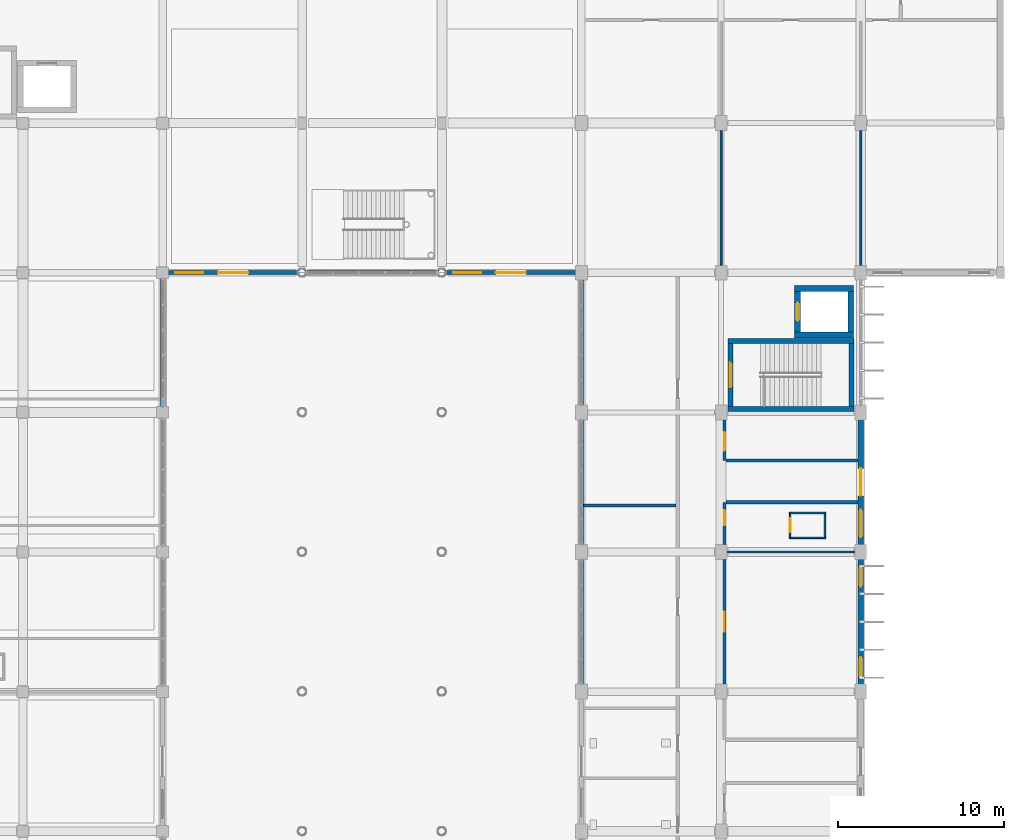
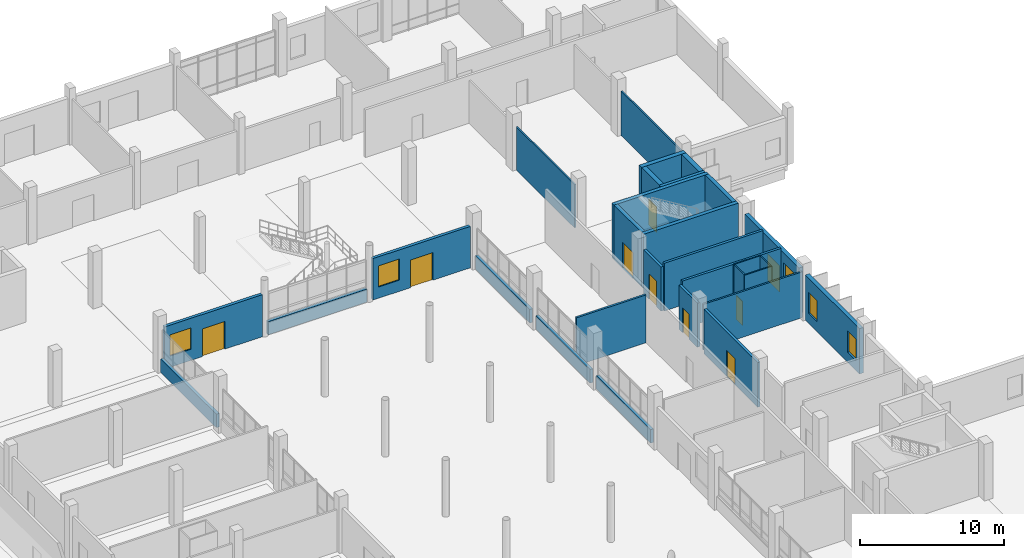
# One storey, part 80 of 95: 30 walls, 9 doors, 5 windows, 14 openings.
"""IFC4 building model written with IfcOpenShell, lengths in metres."""

from ifc_helpers import new_model, si_unit, direction, frame, frame_2d, origin, place, context, subcontext, project, spatial, rectangle, extrude, material, layer, layer_set, type_object, element, fill, save


model = new_model("IFC4")

# Units and contexts
model_context = context("Model", 3, precision=1e-05, world=origin(), true_north=direction((0.0, 1.0)))
body_context = subcontext(model_context, "Body", "Model", "MODEL_VIEW")
ifc_project = project(units=[si_unit("LENGTHUNIT", "METRE"), si_unit("AREAUNIT", "SQUARE_METRE"), si_unit("VOLUMEUNIT", "CUBIC_METRE"), si_unit("PLANEANGLEUNIT", "RADIAN"), si_unit("MASSUNIT", "GRAM", prefix="KILO")], contexts=[model_context])

# Site, building, storey
site_placement = place(None, origin())
site = spatial("IfcSite", under=ifc_project, at=site_placement, CompositionType="ELEMENT")
building_placement = place(site_placement, origin())
building = spatial("IfcBuilding", under=site, at=building_placement, Name="Vireocrest Preparatory School", CompositionType="ELEMENT")
storey_placement = place(building_placement, origin())
storey = spatial("IfcBuildingStorey", under=building, at=storey_placement, Name="L00", CompositionType="ELEMENT", Elevation=0.0)

# Wall
ifc_material_1 = material(Name="Gypsum board on cold-formed steel studs", Category="steel")
ifc_layer_1 = layer(ifc_material_1, 0.139892578125)
ifc_layer_set_1 = layer_set([ifc_layer_1], Name="Gypsum board on cold-formed steel studs")
wall_type_1 = type_object("IfcWallType", Name="Classroom Acoustic Partition Wall 140", PredefinedType="PARTITIONING", material=ifc_layer_set_1)
wall_1_placement = place(storey_placement, frame((101.10498046875, 69.0, 0.0), z_axis=(0.0, 0.0, 1.0), x_axis=(1.0, 0.0, 0.0)))
element("IfcWall", 1, at=wall_1_placement, inside=storey, type_object=wall_type_1, Name="Interior Partition W03 IW_L00_0105", PredefinedType="PARTITIONING", context=body_context, shape_type="SweptSolid", body=[
    extrude(rectangle(XDim=7.929931640625, YDim=0.139892578125, at=frame_2d((3.96484375, 0.0))), origin(), (0.0, 0.0, 1.0), 3.889892578125),
])

# Wall, opening, door
ifc_layer_2 = layer(ifc_material_1, 0.199951171875)
ifc_layer_set_2 = layer_set([ifc_layer_2], Name="Gypsum board on cold-formed steel studs")
wall_type_2 = type_object("IfcWallType", Name="Corridor One-Hour Fire Partition 200", PredefinedType="PARTITIONING", material=ifc_layer_set_2)
wall_2_placement = place(storey_placement, frame((101.0, 61.06005859375, 0.0), z_axis=(0.0, 0.0, 1.0), x_axis=(0.0, 1.0, 0.0)))
wall_2 = element("IfcWall", 2, at=wall_2_placement, inside=storey, type_object=wall_type_2, Name="Interior Partition W06 IW_L00_0107", PredefinedType="PARTITIONING", context=body_context, shape_type="SweptSolid", body=[
    extrude(rectangle(XDim=7.47998046875, YDim=0.199951171875, at=frame_2d((3.739990234375, 0.0))), origin(), (0.0, 0.0, 1.0), 3.7900390625),
])
opening_1_placement = place(wall_2_placement, frame((3.139892578125, 0.0, 0.0)))
opening_1 = element("IfcOpeningElement", 3, at=opening_1_placement, cuts=wall_2, Name="Opening D-L00-ELEN01", PredefinedType="OPENING", context=body_context, shape_type="SweptSolid", body=[
    extrude(rectangle(XDim=1.199951171875, YDim=2.199951171875, at=frame_2d((0.60009765625, 1.10009765625))), frame((0.0, 0.10986328125, 0.0), z_axis=(0.0, -1.0, 0.0), x_axis=(1.0, 0.0, 0.0)), (0.0, 0.0, 1.0), 0.219970703125),
])
ifc_material_2 = material(Name="Solid-core architectural birch timber", Category="wood")
door_type_1 = type_object("IfcDoorType", Name="Wide Accessible Studio Door 1200x2200", OperationType="NOTDEFINED", PredefinedType="DOOR", material=ifc_material_2)
door_1_placement = place(opening_1_placement, origin())
door_1 = element("IfcDoor", 4, at=door_1_placement, inside=storey, type_object=door_type_1, Name="Interior Door D-L00-ELEN01", OperationType="SINGLE_SWING_RIGHT", OverallHeight=2.199951171875, OverallWidth=1.199951171875, PredefinedType="DOOR", context=body_context, shape_type="SweptSolid", body=[
    extrude(rectangle(XDim=1.199951171875, YDim=2.199951171875, at=frame_2d((0.60009765625, 1.10009765625))), frame((0.0, 0.02490234375, 0.0), z_axis=(0.0, -1.0, 0.0), x_axis=(1.0, 0.0, 0.0)), (0.0, 0.0, 1.0), 0.050048828125),
])
fill(opening_1, door_1)

wall_3_placement = place(storey_placement, frame((101.0, 69.4599609375, 0.0), z_axis=(0.0, 0.0, 1.0), x_axis=(0.0, 1.0, 0.0)))
wall_3 = element("IfcWall", 5, at=wall_3_placement, inside=storey, type_object=wall_type_2, Name="Interior Partition W06 IW_L00_0108", PredefinedType="PARTITIONING", context=body_context, shape_type="SweptSolid", body=[
    extrude(rectangle(XDim=2.530029296875, YDim=0.199951171875, at=frame_2d((1.26513671875, 0.0))), origin(), (0.0, 0.0, 1.0), 3.739990234375),
])
opening_2_placement = place(wall_3_placement, frame((1.139892578125, 0.0, 0.0)))
opening_2 = element("IfcOpeningElement", 6, at=opening_2_placement, cuts=wall_3, Name="Opening D-L00-ELEN02", PredefinedType="OPENING", context=body_context, shape_type="SweptSolid", body=[
    extrude(rectangle(XDim=0.89990234375, YDim=2.10009765625, at=frame_2d((0.449951171875, 1.050048828125))), frame((0.0, 0.10986328125, 0.0), z_axis=(0.0, -1.0, 0.0), x_axis=(1.0, 0.0, 0.0)), (0.0, 0.0, 1.0), 0.219970703125),
])
door_type_2 = type_object("IfcDoorType", Name="Office Timber Door 900x2100", OperationType="NOTDEFINED", PredefinedType="DOOR", material=ifc_material_2)
door_2_placement = place(opening_2_placement, origin())
door_2 = element("IfcDoor", 7, at=door_2_placement, inside=storey, type_object=door_type_2, Name="Interior Door D-L00-ELEN02", OperationType="SINGLE_SWING_LEFT", OverallHeight=2.10009765625, OverallWidth=0.89990234375, PredefinedType="DOOR", context=body_context, shape_type="SweptSolid", body=[
    extrude(rectangle(XDim=0.89990234375, YDim=2.10009765625, at=frame_2d((0.449951171875, 1.050048828125))), frame((0.0, 0.02490234375, 0.0), z_axis=(0.0, -1.0, 0.0), x_axis=(1.0, 0.0, 0.0)), (0.0, 0.0, 1.0), 0.050048828125),
])
fill(opening_2, door_2)

# Walls
for number, where, z_axis, x_axis, name in (
    (8, (101.10498046875, 72.0, 0.0), (0.0, 0.0, 1.0), (1.0, 0.0, 0.0), "Interior Partition W06 IW_L00_0109"),
    (9, (101.10498046875, 74.5, 0.0), (0.0, 0.0, 1.0), (1.0, 0.0, 0.0), "Interior Partition W06 IW_L00_0110"),
):
    element("IfcWall", number, at=place(storey_placement, frame(where, z_axis=z_axis, x_axis=x_axis)), inside=storey, type_object=wall_type_2, Name=name, PredefinedType="PARTITIONING", context=body_context, shape_type="SweptSolid", body=[
        extrude(rectangle(XDim=7.929931640625, YDim=0.199951171875, at=frame_2d((3.96484375, 0.0))), origin(), (0.0, 0.0, 1.0), 4.06005859375),
    ])

# Wall, opening, door
wall_4_placement = place(storey_placement, frame((101.0, 74.510009765625, 0.0), z_axis=(0.0, 0.0, 1.0), x_axis=(0.0, 1.0, 0.0)))
wall_4 = element("IfcWall", 10, at=wall_4_placement, inside=storey, type_object=wall_type_2, Name="Interior Partition W06 IW_L00_0111", PredefinedType="PARTITIONING", context=body_context, shape_type="SweptSolid", body=[
    extrude(rectangle(XDim=2.429931640625, YDim=0.199951171875, at=frame_2d((1.21484375, 0.0))), origin(), (0.0, 0.0, 1.0), 3.739990234375),
])
opening_3_placement = place(wall_4_placement, frame((0.590087890625, 0.0, 0.0)))
opening_3 = element("IfcOpeningElement", 11, at=opening_3_placement, cuts=wall_4, Name="Opening D-L00-ELENN01", PredefinedType="OPENING", context=body_context, shape_type="SweptSolid", body=[
    extrude(rectangle(XDim=1.10009765625, YDim=2.14990234375, at=frame_2d((0.550048828125, 1.074951171875))), frame((0.0, 0.10986328125, 0.0), z_axis=(0.0, -1.0, 0.0), x_axis=(1.0, 0.0, 0.0)), (0.0, 0.0, 1.0), 0.219970703125),
])
ifc_material_3 = material(Name="Painted galvanized hollow steel", Category="steel")
door_type_3 = type_object("IfcDoorType", Name="Prep and Store Fire Door 1100x2150", OperationType="NOTDEFINED", PredefinedType="DOOR", material=ifc_material_3)
door_3_placement = place(opening_3_placement, origin())
door_3 = element("IfcDoor", 12, at=door_3_placement, inside=storey, type_object=door_type_3, Name="Interior Door D-L00-ELENN01", OperationType="SINGLE_SWING_RIGHT", OverallHeight=2.14990234375, OverallWidth=1.10009765625, PredefinedType="DOOR", context=body_context, shape_type="SweptSolid", body=[
    extrude(rectangle(XDim=1.10009765625, YDim=2.14990234375, at=frame_2d((0.550048828125, 1.074951171875))), frame((0.0, 0.02490234375, 0.0), z_axis=(0.0, -1.0, 0.0), x_axis=(1.0, 0.0, 0.0)), (0.0, 0.0, 1.0), 0.050048828125),
])
fill(opening_3, door_3)

# Wall, openings, windows
ifc_material_4 = material(Name="Precast white concrete 40 MPa", Category="concrete")
ifc_layer_3 = layer(ifc_material_4, 0.320068359375)
ifc_layer_set_3 = layer_set([ifc_layer_3], Name="Precast white concrete 40 MPa")
wall_type_3 = type_object("IfcWallType", Name="High-Tech Insulated Rainscreen External Wall 320", PredefinedType="SOLIDWALL", material=ifc_layer_set_3)
wall_5_placement = place(storey_placement, frame((109.199951171875, 61.02490234375, 0.0), z_axis=(0.0, 0.0, 1.0), x_axis=(0.0, 1.0, 0.0)))
wall_5 = element("IfcWall", 13, at=wall_5_placement, inside=storey, type_object=wall_type_3, Name="External Wall W12 EW_L00_0066", PredefinedType="SOLIDWALL", context=body_context, shape_type="SweptSolid", body=[
    extrude(rectangle(XDim=7.550048828125, YDim=0.320068359375, at=frame_2d((3.77490234375, 0.0))), origin(), (0.0, 0.0, 1.0), 3.840087890625),
])
opening_4_placement = place(wall_5_placement, frame((0.449951171875, 0.0, 0.85009765625)))
opening_4 = element("IfcOpeningElement", 14, at=opening_4_placement, cuts=wall_5, Name="Opening WN02", PredefinedType="OPENING", context=body_context, shape_type="SweptSolid", body=[
    extrude(rectangle(XDim=1.199951171875, YDim=1.800048828125, at=frame_2d((0.60009765625, 0.89990234375))), frame((0.0, 0.169921875, 0.0), z_axis=(0.0, -1.0, 0.0), x_axis=(1.0, 0.0, 0.0)), (0.0, 0.0, 1.0), 0.340087890625),
])
opening_5_placement = place(wall_5_placement, frame((5.89990234375, 0.0, 0.85009765625)))
opening_5 = element("IfcOpeningElement", 15, at=opening_5_placement, cuts=wall_5, Name="Opening WN02", PredefinedType="OPENING", context=body_context, shape_type="SweptSolid", body=[
    extrude(rectangle(XDim=1.199951171875, YDim=1.800048828125, at=frame_2d((0.60009765625, 0.89990234375))), frame((0.0, 0.169921875, 0.0), z_axis=(0.0, -1.0, 0.0), x_axis=(1.0, 0.0, 0.0)), (0.0, 0.0, 1.0), 0.340087890625),
])
ifc_material_5 = material(Name="Thermally broken aluminium EN AW-6063-T6", Category="aluminium")
window_type_1 = type_object("IfcWindowType", Name="Counseling Window 1200x1800", PartitioningType="SINGLE_PANEL", PredefinedType="WINDOW", material=ifc_material_5)
window_1_placement = place(opening_4_placement, origin())
window_1 = element("IfcWindow", 16, at=window_1_placement, inside=storey, type_object=window_type_1, Name="Window W-L00-008 (WN02)", OverallHeight=1.800048828125, OverallWidth=1.199951171875, PartitioningType="SINGLE_PANEL", PredefinedType="WINDOW", context=body_context, shape_type="SweptSolid", body=[
    extrude(rectangle(XDim=1.199951171875, YDim=1.800048828125, at=frame_2d((0.60009765625, 0.89990234375))), frame((0.0, 0.030029296875, 0.0), z_axis=(0.0, -1.0, 0.0), x_axis=(1.0, 0.0, 0.0)), (0.0, 0.0, 1.0), 0.06005859375),
])
fill(opening_4, window_1)
window_2_placement = place(opening_5_placement, origin())
window_2 = element("IfcWindow", 17, at=window_2_placement, inside=storey, type_object=window_type_1, Name="Window W-L00-009 (WN02)", OverallHeight=1.800048828125, OverallWidth=1.199951171875, PartitioningType="SINGLE_PANEL", PredefinedType="WINDOW", context=body_context, shape_type="SweptSolid", body=[
    extrude(rectangle(XDim=1.199951171875, YDim=1.800048828125, at=frame_2d((0.60009765625, 0.89990234375))), frame((0.0, 0.030029296875, 0.0), z_axis=(0.0, -1.0, 0.0), x_axis=(1.0, 0.0, 0.0)), (0.0, 0.0, 1.0), 0.06005859375),
])
fill(opening_5, window_2)

# Wall, openings, window, door
wall_6_placement = place(storey_placement, frame((109.199951171875, 69.425048828125, 0.0), z_axis=(0.0, 0.0, 1.0), x_axis=(0.0, 1.0, 0.0)))
wall_6 = element("IfcWall", 18, at=wall_6_placement, inside=storey, type_object=wall_type_3, Name="External Wall W12 EW_L00_0067", PredefinedType="SOLIDWALL", context=body_context, shape_type="SweptSolid", body=[
    extrude(rectangle(XDim=7.550048828125, YDim=0.320068359375, at=frame_2d((3.77490234375, 0.0))), origin(), (0.0, 0.0, 1.0), 3.889892578125),
])
opening_6_placement = place(wall_6_placement, frame((4.599853515625, 0.0, 0.0), z_axis=(0.0, 0.0, 1.0), x_axis=(-1.0, 0.0, 0.0)))
opening_6 = element("IfcOpeningElement", 19, at=opening_6_placement, cuts=wall_6, Name="Opening ED4", PredefinedType="OPENING", context=body_context, shape_type="SweptSolid", body=[
    extrude(rectangle(XDim=1.64990234375, YDim=2.25, at=frame_2d((0.824951171875, 1.125))), frame((0.0, 0.169921875, 0.0), z_axis=(0.0, -1.0, 0.0), x_axis=(1.0, 0.0, 0.0)), (0.0, 0.0, 1.0), 0.340087890625),
])
opening_7_placement = place(wall_6_placement, frame((0.449951171875, 0.0, 0.949951171875)))
opening_7 = element("IfcOpeningElement", 20, at=opening_7_placement, cuts=wall_6, Name="Opening WN06", PredefinedType="OPENING", context=body_context, shape_type="SweptSolid", body=[
    extrude(rectangle(XDim=1.679931640625, YDim=2.10009765625, at=frame_2d((0.83984375, 1.050048828125))), frame((0.0, 0.169921875, 0.0), z_axis=(0.0, -1.0, 0.0), x_axis=(1.0, 0.0, 0.0)), (0.0, 0.0, 1.0), 0.340087890625),
])
window_type_2 = type_object("IfcWindowType", Name="Module Classroom Tall Window 1680x2100", PartitioningType="SINGLE_PANEL", PredefinedType="WINDOW", material=ifc_material_5)
window_3_placement = place(opening_7_placement, origin())
window_3 = element("IfcWindow", 21, at=window_3_placement, inside=storey, type_object=window_type_2, Name="Window W-L00-010 (WN06)", OverallHeight=2.10009765625, OverallWidth=1.679931640625, PartitioningType="SINGLE_PANEL", PredefinedType="WINDOW", context=body_context, shape_type="SweptSolid", body=[
    extrude(rectangle(XDim=1.679931640625, YDim=2.10009765625, at=frame_2d((0.83984375, 1.050048828125))), frame((0.0, 0.030029296875, 0.0), z_axis=(0.0, -1.0, 0.0), x_axis=(1.0, 0.0, 0.0)), (0.0, 0.0, 1.0), 0.06005859375),
])
fill(opening_7, window_3)
door_type_4 = type_object("IfcDoorType", Name="Stair Discharge Exterior Fire Exit Door 1650x2250", OperationType="DOUBLE_DOOR_SINGLE_SWING", PredefinedType="DOOR", material=ifc_material_3)
door_4_placement = place(opening_6_placement, origin())
door_4 = element("IfcDoor", 22, at=door_4_placement, inside=storey, type_object=door_type_4, Name="Final Exit ED4 Library North East Exit", OperationType="DOUBLE_DOOR_SINGLE_SWING", OverallHeight=2.25, OverallWidth=1.64990234375, PredefinedType="DOOR", context=body_context, shape_type="SweptSolid", body=[
    extrude(rectangle(XDim=1.64990234375, YDim=2.25, at=frame_2d((0.824951171875, 1.125))), frame((0.0, 0.02490234375, 0.0), z_axis=(0.0, -1.0, 0.0), x_axis=(1.0, 0.0, 0.0)), (0.0, 0.0, 1.0), 0.050048828125),
])
fill(opening_6, door_4)

# Walls
ifc_layer_4 = layer(ifc_material_1, 0.159912109375)
ifc_layer_set_4 = layer_set([ifc_layer_4], Name="Gypsum board on cold-formed steel studs")
wall_type_4 = type_object("IfcWallType", Name="Laboratory Wet-Service Partition Wall 160", PredefinedType="PARTITIONING", material=ifc_layer_set_4)
wall_7_placement = place(storey_placement, frame((92.52490234375, 71.800048828125, 0.0), z_axis=(0.0, 0.0, 1.0), x_axis=(1.0, 0.0, 0.0)))
element("IfcWall", 23, at=wall_7_placement, inside=storey, type_object=wall_type_4, Name="Interior Partition W04 IW_L00_0096", PredefinedType="PARTITIONING", context=body_context, shape_type="SweptSolid", body=[
    extrude(rectangle(XDim=5.570068359375, YDim=0.159912109375, at=frame_2d((2.78515625, 0.0))), origin(), (0.0, 0.0, 1.0), 4.06005859375),
])
ifc_layer_5 = layer(ifc_material_1, 0.1201171875)
ifc_layer_set_5 = layer_set([ifc_layer_5], Name="Gypsum board on cold-formed steel studs")
wall_type_5 = type_object("IfcWallType", Name="Office Stud Partition Wall 120", PredefinedType="PARTITIONING", material=ifc_layer_set_5)
wall_8_placement = place(storey_placement, frame((100.800048828125, 86.260009765625, 0.0), z_axis=(0.0, 0.0, 1.0), x_axis=(0.0, 1.0, 0.0)))
element("IfcWall", 24, at=wall_8_placement, inside=storey, type_object=wall_type_5, Name="Interior Partition W02 IW_L00_0085", PredefinedType="PARTITIONING", context=body_context, shape_type="SweptSolid", body=[
    extrude(rectangle(XDim=8.080078125, YDim=0.1201171875, at=frame_2d((4.0400390625, 0.0))), origin(), (0.0, 0.0, 1.0), 3.669921875),
])
wall_9_placement = place(storey_placement, frame((109.199951171875, 85.965087890625, 0.0), z_axis=(0.0, 0.0, 1.0), x_axis=(0.0, 1.0, 0.0)))
element("IfcWall", 25, at=wall_9_placement, inside=storey, type_object=wall_type_5, Name="Interior Partition W02 IW_L00_0087", PredefinedType="PARTITIONING", context=body_context, shape_type="SweptSolid", body=[
    extrude(rectangle(XDim=8.375, YDim=0.1201171875, at=frame_2d((4.1875, 0.0))), origin(), (0.0, 0.0, 1.0), 3.77001953125),
])
ifc_layer_6 = layer(ifc_material_1, 0.10009765625)
ifc_layer_set_6 = layer_set([ifc_layer_6], Name="Gypsum board on cold-formed steel studs")
wall_type_6 = type_object("IfcWallType", Name="Riser Shaft Lining Wall 100", PredefinedType="PARTITIONING", material=ifc_layer_set_6)
for number, where, z_axis, x_axis, name in (
    (26, (104.89990234375, 69.85009765625, 0.0), (0.0, 0.0, 1.0), (1.0, 0.0, 0.0), "MEP Riser Shaft Wall W01 EAST_MEP-L00-S"),
    (27, (104.89990234375, 71.35009765625, 0.0), (0.0, 0.0, 1.0), (1.0, 0.0, 0.0), "MEP Riser Shaft Wall W01 EAST_MEP-L00-N"),
):
    element("IfcWall", number, at=place(storey_placement, frame(where, z_axis=z_axis, x_axis=x_axis)), inside=storey, type_object=wall_type_6, Name=name, PredefinedType="PARTITIONING", context=body_context, shape_type="SweptSolid", body=[
        extrude(rectangle(XDim=2.2001953125, YDim=0.10009765625, at=frame_2d((1.10009765625, 0.0))), origin(), (0.0, 0.0, 1.0), 4.5),
    ])

# Wall, opening, door
wall_10_placement = place(storey_placement, frame((104.949951171875, 69.89990234375, 0.0), z_axis=(0.0, 0.0, 1.0), x_axis=(0.0, 1.0, 0.0)))
wall_10 = element("IfcWall", 28, at=wall_10_placement, inside=storey, type_object=wall_type_6, Name="MEP Riser Shaft Wall W01 EAST_MEP-L00-W", PredefinedType="PARTITIONING", context=body_context, shape_type="SweptSolid", body=[
    extrude(rectangle(XDim=1.400146484375, YDim=0.10009765625, at=frame_2d((0.7001953125, 0.0))), origin(), (0.0, 0.0, 1.0), 4.5),
])
opening_8_placement = place(wall_10_placement, frame((0.27490234375, 0.0, 0.0)))
opening_8 = element("IfcOpeningElement", 29, at=opening_8_placement, cuts=wall_10, Name="Opening D-L00-RSE", PredefinedType="OPENING", context=body_context, shape_type="SweptSolid", body=[
    extrude(rectangle(XDim=0.85009765625, YDim=2.050048828125, at=frame_2d((0.425048828125, 1.02490234375))), frame((0.0, 0.06005859375, 0.0), z_axis=(0.0, -1.0, 0.0), x_axis=(1.0, 0.0, 0.0)), (0.0, 0.0, 1.0), 0.1201171875),
])
door_type_5 = type_object("IfcDoorType", Name="Riser Access Steel Door 850x2050", OperationType="NOTDEFINED", PredefinedType="DOOR", material=ifc_material_3)
door_5_placement = place(opening_8_placement, origin())
door_5 = element("IfcDoor", 30, at=door_5_placement, inside=storey, type_object=door_type_5, Name="Riser Shaft Access Door D-L00-RSE", OperationType="SINGLE_SWING_LEFT", OverallHeight=2.050048828125, OverallWidth=0.85009765625, PredefinedType="DOOR", context=body_context, shape_type="SweptSolid", body=[
    extrude(rectangle(XDim=0.85009765625, YDim=2.050048828125, at=frame_2d((0.425048828125, 1.02490234375))), frame((0.0, 0.02490234375, 0.0), z_axis=(0.0, -1.0, 0.0), x_axis=(1.0, 0.0, 0.0)), (0.0, 0.0, 1.0), 0.050048828125),
])
fill(opening_8, door_5)

# Walls
wall_11_placement = place(storey_placement, frame((107.050048828125, 69.89990234375, 0.0), z_axis=(0.0, 0.0, 1.0), x_axis=(0.0, 1.0, 0.0)))
element("IfcWall", 31, at=wall_11_placement, inside=storey, type_object=wall_type_6, Name="MEP Riser Shaft Wall W01 EAST_MEP-L00-E", PredefinedType="PARTITIONING", context=body_context, shape_type="SweptSolid", body=[
    extrude(rectangle(XDim=1.400146484375, YDim=0.10009765625, at=frame_2d((0.7001953125, 0.0))), origin(), (0.0, 0.0, 1.0), 4.5),
])
ifc_material_6 = material(Name="Concrete 45 MPa", Category="concrete")
ifc_layer_7 = layer(ifc_material_6, 0.35009765625)
ifc_layer_set_7 = layer_set([ifc_layer_7], Name="Concrete 45 MPa")
wall_type_7 = type_object("IfcWallType", Name="Two-Hour RC Lift Core Shear Wall 350", PredefinedType="SHEAR", material=ifc_layer_set_7)
for number, where, z_axis, x_axis, name in (
    (32, (105.22509765625, 82.050048828125, 0.0), (0.0, 0.0, 1.0), (1.0, 0.0, 0.0), "Lift Core Shear Wall LF4 L00-S"),
    (33, (105.22509765625, 84.85009765625, 0.0), (0.0, 0.0, 1.0), (1.0, 0.0, 0.0), "Lift Core Shear Wall LF4 L00-N"),
):
    element("IfcWall", number, at=place(storey_placement, frame(where, z_axis=z_axis, x_axis=x_axis)), inside=storey, type_object=wall_type_7, Name=name, PredefinedType="SHEAR", context=body_context, shape_type="SweptSolid", body=[
        extrude(rectangle(XDim=3.5498046875, YDim=0.35009765625, at=frame_2d((1.77490234375, 0.0))), origin(), (0.0, 0.0, 1.0), 4.52001953125),
    ])

# Wall, opening, door
wall_12_placement = place(storey_placement, frame((105.39990234375, 82.22509765625, 0.0), z_axis=(0.0, 0.0, 1.0), x_axis=(0.0, 1.0, 0.0)))
wall_12 = element("IfcWall", 34, at=wall_12_placement, inside=storey, type_object=wall_type_7, Name="Lift Core Shear Wall LF4 L00-W", PredefinedType="SHEAR", context=body_context, shape_type="SweptSolid", body=[
    extrude(rectangle(XDim=2.449951171875, YDim=0.35009765625, at=frame_2d((1.22509765625, 0.0))), origin(), (0.0, 0.0, 1.0), 4.52001953125),
])
opening_9_placement = place(wall_12_placement, frame((0.675048828125, 0.0, 0.0)))
opening_9 = element("IfcOpeningElement", 35, at=opening_9_placement, cuts=wall_12, Name="Opening LD-LF4-L00", PredefinedType="OPENING", context=body_context, shape_type="SweptSolid", body=[
    extrude(rectangle(XDim=1.10009765625, YDim=2.199951171875, at=frame_2d((0.550048828125, 1.10009765625))), frame((0.0, 0.18505859375, 0.0), z_axis=(0.0, -1.0, 0.0), x_axis=(1.0, 0.0, 0.0)), (0.0, 0.0, 1.0), 0.3701171875),
])
door_type_6 = type_object("IfcDoorType", Name="Lift Landing Sliding Door 1100x2200", OperationType="DOUBLE_DOOR_SLIDING", PredefinedType="DOOR", material=ifc_material_3)
door_6_placement = place(opening_9_placement, origin())
door_6 = element("IfcDoor", 36, at=door_6_placement, inside=storey, type_object=door_type_6, Name="Lift Landing Door LD-LF4-L00", OperationType="DOUBLE_DOOR_SLIDING", OverallHeight=2.199951171875, OverallWidth=1.10009765625, PredefinedType="DOOR", context=body_context, shape_type="SweptSolid", body=[
    extrude(rectangle(XDim=1.10009765625, YDim=2.199951171875, at=frame_2d((0.550048828125, 1.10009765625))), frame((0.0, 0.02490234375, 0.0), z_axis=(0.0, -1.0, 0.0), x_axis=(1.0, 0.0, 0.0)), (0.0, 0.0, 1.0), 0.050048828125),
])
fill(opening_9, door_6)

# Walls
wall_13_placement = place(storey_placement, frame((108.60009765625, 82.22509765625, 0.0), z_axis=(0.0, 0.0, 1.0), x_axis=(0.0, 1.0, 0.0)))
element("IfcWall", 37, at=wall_13_placement, inside=storey, type_object=wall_type_7, Name="Lift Core Shear Wall LF4 L00-E", PredefinedType="SHEAR", context=body_context, shape_type="SweptSolid", body=[
    extrude(rectangle(XDim=2.449951171875, YDim=0.35009765625, at=frame_2d((1.22509765625, 0.0))), origin(), (0.0, 0.0, 1.0), 4.52001953125),
])
ifc_layer_8 = layer(ifc_material_6, 0.300048828125)
ifc_layer_set_8 = layer_set([ifc_layer_8], Name="Concrete 45 MPa")
wall_type_8 = type_object("IfcWallType", Name="Two-Hour RC Stair Shaft Shear Wall 300", PredefinedType="SHEAR", material=ifc_layer_set_8)
for number, where, z_axis, x_axis, name in (
    (38, (101.199951171875, 77.60009765625, 0.0), (0.0, 0.0, 1.0), (1.0, 0.0, 0.0), "Stair Core Shear Wall ST4 L00-S"),
    (39, (101.199951171875, 81.699951171875, 0.0), (0.0, 0.0, 1.0), (1.0, 0.0, 0.0), "Stair Core Shear Wall ST4 L00-N"),
):
    element("IfcWall", number, at=place(storey_placement, frame(where, z_axis=z_axis, x_axis=x_axis)), inside=storey, type_object=wall_type_8, Name=name, PredefinedType="SHEAR", context=body_context, shape_type="SweptSolid", body=[
        extrude(rectangle(XDim=7.60009765625, YDim=0.300048828125, at=frame_2d((3.800048828125, 0.0))), origin(), (0.0, 0.0, 1.0), 4.625),
    ])

# Wall, opening, door
wall_14_placement = place(storey_placement, frame((101.35009765625, 77.75, 0.0), z_axis=(0.0, 0.0, 1.0), x_axis=(0.0, 1.0, 0.0)))
wall_14 = element("IfcWall", 40, at=wall_14_placement, inside=storey, type_object=wall_type_8, Name="Stair Core Shear Wall ST4 L00-W", PredefinedType="SHEAR", context=body_context, shape_type="SweptSolid", body=[
    extrude(rectangle(XDim=3.800048828125, YDim=0.300048828125, at=frame_2d((1.89990234375, 0.0))), origin(), (0.0, 0.0, 1.0), 4.625),
])
opening_10_placement = place(wall_14_placement, frame((1.14990234375, 0.0, 0.0)))
opening_10 = element("IfcOpeningElement", 41, at=opening_10_placement, cuts=wall_14, Name="Opening SD-ST4-L00", PredefinedType="OPENING", context=body_context, shape_type="SweptSolid", body=[
    extrude(rectangle(XDim=1.5, YDim=2.199951171875, at=frame_2d((0.75, 1.10009765625))), frame((0.0, 0.159912109375, 0.0), z_axis=(0.0, -1.0, 0.0), x_axis=(1.0, 0.0, 0.0)), (0.0, 0.0, 1.0), 0.320068359375),
])
door_type_7 = type_object("IfcDoorType", Name="Stair Enclosure Fire Door 1500x2200", OperationType="DOUBLE_DOOR_SINGLE_SWING", PredefinedType="DOOR", material=ifc_material_3)
door_7_placement = place(opening_10_placement, origin())
door_7 = element("IfcDoor", 42, at=door_7_placement, inside=storey, type_object=door_type_7, Name="Stair Enclosure Fire Door SD-ST4-L00", OperationType="DOUBLE_DOOR_SINGLE_SWING", OverallHeight=2.199951171875, OverallWidth=1.5, PredefinedType="DOOR", context=body_context, shape_type="SweptSolid", body=[
    extrude(rectangle(XDim=1.5, YDim=2.199951171875, at=frame_2d((0.75, 1.10009765625))), frame((0.0, 0.02490234375, 0.0), z_axis=(0.0, -1.0, 0.0), x_axis=(1.0, 0.0, 0.0)), (0.0, 0.0, 1.0), 0.050048828125),
])
fill(opening_10, door_7)

# Walls
wall_15_placement = place(storey_placement, frame((108.64990234375, 77.75, 0.0), z_axis=(0.0, 0.0, 1.0), x_axis=(0.0, 1.0, 0.0)))
element("IfcWall", 43, at=wall_15_placement, inside=storey, type_object=wall_type_8, Name="Stair Core Shear Wall ST4 L00-E", PredefinedType="SHEAR", context=body_context, shape_type="SweptSolid", body=[
    extrude(rectangle(XDim=3.800048828125, YDim=0.300048828125, at=frame_2d((1.89990234375, 0.0))), origin(), (0.0, 0.0, 1.0), 4.625),
])
ifc_layer_9 = layer(ifc_material_4, 0.239990234375)
ifc_layer_set_9 = layer_set([ifc_layer_9], Name="Precast white concrete 40 MPa")
wall_type_9 = type_object("IfcWallType", Name="White Precast Courtyard Spandrel Wall 240", PredefinedType="SOLIDWALL", material=ifc_layer_set_9)
wall_16_placement = place(storey_placement, frame((67.199951171875, 77.72509765625, 0.0), z_axis=(0.0, 0.0, 1.0), x_axis=(0.0, 1.0, 0.0)))
element("IfcWall", 44, at=wall_16_placement, inside=storey, type_object=wall_type_9, Name="External Wall W08 EW_L00_0120", PredefinedType="SOLIDWALL", context=body_context, shape_type="SweptSolid", body=[
    extrude(rectangle(XDim=7.75, YDim=0.239990234375, at=frame_2d((3.875, 0.0))), origin(), (0.0, 0.0, 1.0), 1.14990234375),
])

# Wall, openings, door, window
wall_17_placement = place(storey_placement, frame((67.52490234375, 85.800048828125, 0.0), z_axis=(0.0, 0.0, 1.0), x_axis=(1.0, 0.0, 0.0)))
wall_17 = element("IfcWall", 45, at=wall_17_placement, inside=storey, type_object=wall_type_9, Name="External Wall W08 EW_L00_0121", PredefinedType="SOLIDWALL", context=body_context, shape_type="SweptSolid", body=[
    extrude(rectangle(XDim=7.84619140625, YDim=0.239990234375, at=frame_2d((3.923095703125, 0.0))), origin(), (0.0, 0.0, 1.0), 3.570068359375),
])
opening_11_placement = place(wall_17_placement, frame((4.822998046875, 0.0, 0.0), z_axis=(0.0, 0.0, 1.0), x_axis=(-1.0, 0.0, 0.0)))
opening_11 = element("IfcOpeningElement", 46, at=opening_11_placement, cuts=wall_17, Name="Opening EC5", PredefinedType="OPENING", context=body_context, shape_type="SweptSolid", body=[
    extrude(rectangle(XDim=1.800048828125, YDim=2.35009765625, at=frame_2d((0.89990234375, 1.175048828125))), frame((0.0, 0.1298828125, 0.0), z_axis=(0.0, -1.0, 0.0), x_axis=(1.0, 0.0, 0.0)), (0.0, 0.0, 1.0), 0.260009765625),
])
opening_12_placement = place(wall_17_placement, frame((0.449951171875, 0.0, 0.949951171875)))
opening_12 = element("IfcOpeningElement", 47, at=opening_12_placement, cuts=wall_17, Name="Opening WN05", PredefinedType="OPENING", context=body_context, shape_type="SweptSolid", body=[
    extrude(rectangle(XDim=1.679931640625, YDim=1.800048828125, at=frame_2d((0.83984375, 0.89990234375))), frame((0.0, 0.1298828125, 0.0), z_axis=(0.0, -1.0, 0.0), x_axis=(1.0, 0.0, 0.0)), (0.0, 0.0, 1.0), 0.260009765625),
])
ifc_material_7 = material(Name="Thermally broken glazed aluminium", Category="aluminium")
door_type_8 = type_object("IfcDoorType", Name="Campus Final Exit Double Door 1800x2350", OperationType="DOUBLE_DOOR_SINGLE_SWING", PredefinedType="DOOR", material=ifc_material_7)
door_8_placement = place(opening_11_placement, origin())
door_8 = element("IfcDoor", 48, at=door_8_placement, inside=storey, type_object=door_type_8, Name="Central Courtyard Exit EC5 Concourse West", OperationType="DOUBLE_DOOR_SINGLE_SWING", OverallHeight=2.35009765625, OverallWidth=1.800048828125, PredefinedType="DOOR", context=body_context, shape_type="SweptSolid", body=[
    extrude(rectangle(XDim=1.800048828125, YDim=2.35009765625, at=frame_2d((0.89990234375, 1.175048828125))), frame((0.0, 0.02490234375, 0.0), z_axis=(0.0, -1.0, 0.0), x_axis=(1.0, 0.0, 0.0)), (0.0, 0.0, 1.0), 0.050048828125),
])
fill(opening_11, door_8)
window_type_3 = type_object("IfcWindowType", Name="Module Classroom Window 1680x1800", PartitioningType="SINGLE_PANEL", PredefinedType="WINDOW", material=ifc_material_5)
window_4_placement = place(opening_12_placement, origin())
window_4 = element("IfcWindow", 49, at=window_4_placement, inside=storey, type_object=window_type_3, Name="Window W-L00-031 (WN05)", OverallHeight=1.800048828125, OverallWidth=1.679931640625, PartitioningType="SINGLE_PANEL", PredefinedType="WINDOW", context=body_context, shape_type="SweptSolid", body=[
    extrude(rectangle(XDim=1.679931640625, YDim=1.800048828125, at=frame_2d((0.83984375, 0.89990234375))), frame((0.0, 0.030029296875, 0.0), z_axis=(0.0, -1.0, 0.0), x_axis=(1.0, 0.0, 0.0)), (0.0, 0.0, 1.0), 0.06005859375),
])
fill(opening_12, window_4)

# Wall
wall_18_placement = place(storey_placement, frame((75.8291015625, 85.800048828125, 0.0), z_axis=(0.0, 0.0, 1.0), x_axis=(1.0, 0.0, 0.0)))
element("IfcWall", 50, at=wall_18_placement, inside=storey, type_object=wall_type_9, Name="External Wall W08 EW_L00_0122", PredefinedType="SOLIDWALL", context=body_context, shape_type="SweptSolid", body=[
    extrude(rectangle(XDim=7.94189453125, YDim=0.239990234375, at=frame_2d((3.970947265625, 0.0))), origin(), (0.0, 0.0, 1.0), 1.10009765625),
])

# Wall, openings, door, window
wall_19_placement = place(storey_placement, frame((84.22900390625, 85.800048828125, 0.0), z_axis=(0.0, 0.0, 1.0), x_axis=(1.0, 0.0, 0.0)))
wall_19 = element("IfcWall", 51, at=wall_19_placement, inside=storey, type_object=wall_type_9, Name="External Wall W08 EW_L00_0123", PredefinedType="SOLIDWALL", context=body_context, shape_type="SweptSolid", body=[
    extrude(rectangle(XDim=7.845947265625, YDim=0.239990234375, at=frame_2d((3.9228515625, 0.0))), origin(), (0.0, 0.0, 1.0), 3.52001953125),
])
opening_13_placement = place(wall_19_placement, frame((4.822998046875, 0.0, 0.0), z_axis=(0.0, 0.0, 1.0), x_axis=(-1.0, 0.0, 0.0)))
opening_13 = element("IfcOpeningElement", 52, at=opening_13_placement, cuts=wall_19, Name="Opening EC6", PredefinedType="OPENING", context=body_context, shape_type="SweptSolid", body=[
    extrude(rectangle(XDim=1.800048828125, YDim=2.35009765625, at=frame_2d((0.89990234375, 1.175048828125))), frame((0.0, 0.1298828125, 0.0), z_axis=(0.0, -1.0, 0.0), x_axis=(1.0, 0.0, 0.0)), (0.0, 0.0, 1.0), 0.260009765625),
])
opening_14_placement = place(wall_19_placement, frame((0.449951171875, 0.0, 0.949951171875)))
opening_14 = element("IfcOpeningElement", 53, at=opening_14_placement, cuts=wall_19, Name="Opening WN05", PredefinedType="OPENING", context=body_context, shape_type="SweptSolid", body=[
    extrude(rectangle(XDim=1.679931640625, YDim=1.800048828125, at=frame_2d((0.83984375, 0.89990234375))), frame((0.0, 0.1298828125, 0.0), z_axis=(0.0, -1.0, 0.0), x_axis=(1.0, 0.0, 0.0)), (0.0, 0.0, 1.0), 0.260009765625),
])
door_9_placement = place(opening_13_placement, origin())
door_9 = element("IfcDoor", 54, at=door_9_placement, inside=storey, type_object=door_type_8, Name="Central Courtyard Exit EC6 Concourse East", OperationType="DOUBLE_DOOR_SINGLE_SWING", OverallHeight=2.35009765625, OverallWidth=1.800048828125, PredefinedType="DOOR", context=body_context, shape_type="SweptSolid", body=[
    extrude(rectangle(XDim=1.800048828125, YDim=2.35009765625, at=frame_2d((0.89990234375, 1.175048828125))), frame((0.0, 0.02490234375, 0.0), z_axis=(0.0, -1.0, 0.0), x_axis=(1.0, 0.0, 0.0)), (0.0, 0.0, 1.0), 0.050048828125),
])
fill(opening_13, door_9)
window_5_placement = place(opening_14_placement, origin())
window_5 = element("IfcWindow", 55, at=window_5_placement, inside=storey, type_object=window_type_3, Name="Window W-L00-032 (WN05)", OverallHeight=1.800048828125, OverallWidth=1.679931640625, PartitioningType="SINGLE_PANEL", PredefinedType="WINDOW", context=body_context, shape_type="SweptSolid", body=[
    extrude(rectangle(XDim=1.679931640625, YDim=1.800048828125, at=frame_2d((0.83984375, 0.89990234375))), frame((0.0, 0.030029296875, 0.0), z_axis=(0.0, -1.0, 0.0), x_axis=(1.0, 0.0, 0.0)), (0.0, 0.0, 1.0), 0.06005859375),
])
fill(opening_14, window_5)

# Walls
for number, where, z_axis, x_axis, name in (
    (56, (92.39990234375, 61.02490234375, 0.0), (0.0, 0.0, 1.0), (0.0, 1.0, 0.0), "External Wall W08 EW_L00_0129"),
    (57, (92.39990234375, 69.425048828125, 0.0), (0.0, 0.0, 1.0), (0.0, 1.0, 0.0), "External Wall W08 EW_L00_0130"),
    (58, (92.39990234375, 77.824951171875, 0.0), (0.0, 0.0, 1.0), (0.0, 1.0, 0.0), "External Wall W08 EW_L00_0131"),
):
    element("IfcWall", number, at=place(storey_placement, frame(where, z_axis=z_axis, x_axis=x_axis)), inside=storey, type_object=wall_type_9, Name=name, PredefinedType="SOLIDWALL", context=body_context, shape_type="SweptSolid", body=[
        extrude(rectangle(XDim=7.550048828125, YDim=0.239990234375, at=frame_2d((3.77490234375, 0.0))), origin(), (0.0, 0.0, 1.0), 1.14990234375),
    ])

save(model, "model.ifc")
